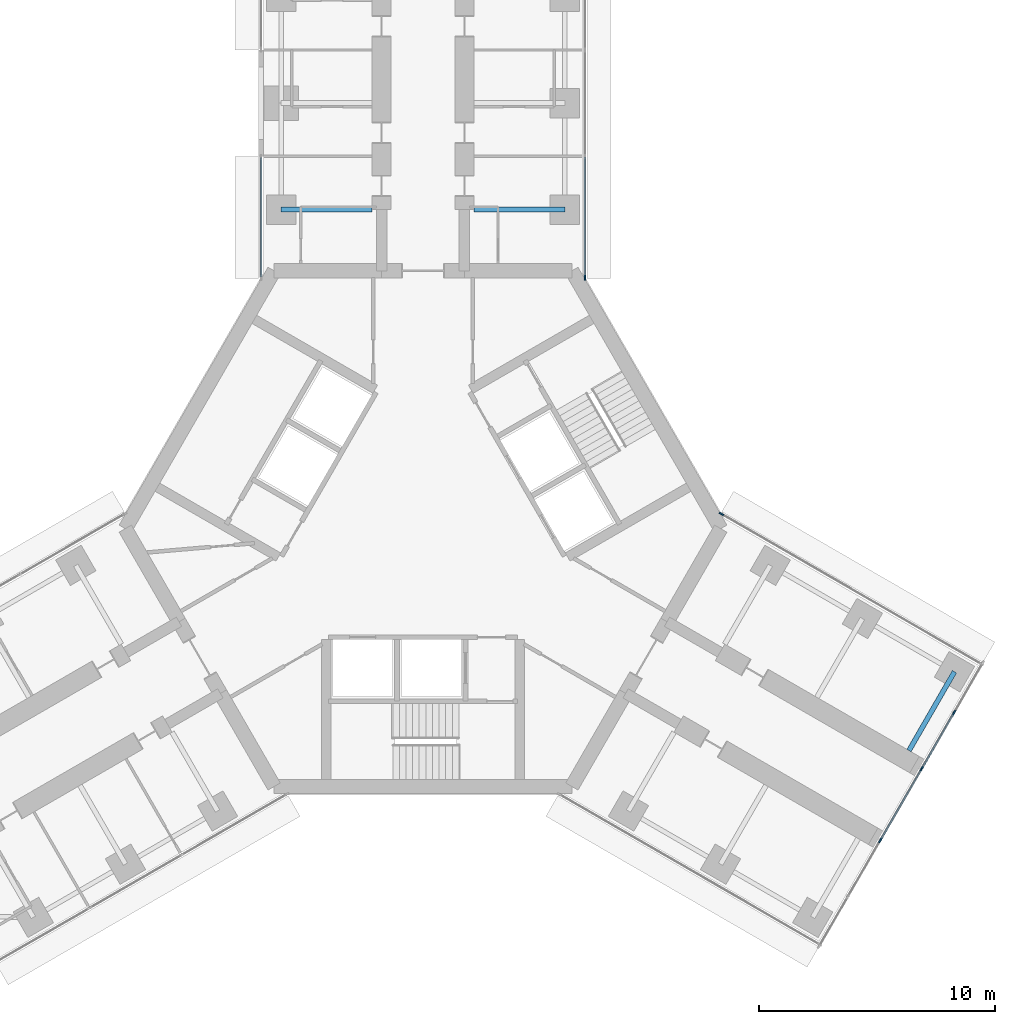
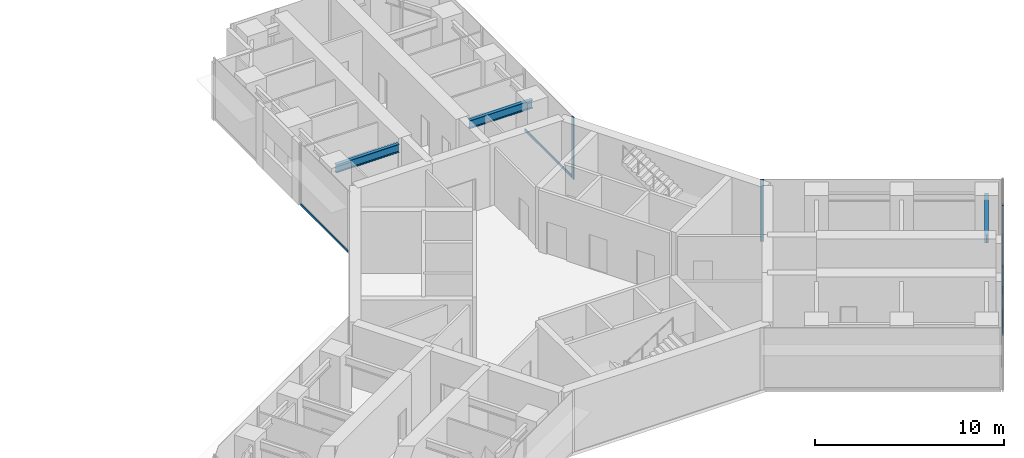
# One storey, part 10 of 23: 9 members, 3 beams, 4 elements without a shape of their own.
"""IFC4 building model written with IfcOpenShell, lengths in metres."""

from ifc_helpers import new_model, si_unit, direction, frame, origin, origin_2d, place, context, subcontext, project, spatial, rectangle, i_section, extrude, material, material_profile, profile_set, type_object, element, aggregate, save


model = new_model("IFC4")

# Units and contexts
model_context = context("Model", 3, precision=1e-05, world=origin(), true_north=direction((0.0, 1.0)))
body_context = subcontext(model_context, "Body", "Model", "MODEL_VIEW")
ifc_project = project(units=[si_unit("LENGTHUNIT", "METRE"), si_unit("AREAUNIT", "SQUARE_METRE"), si_unit("VOLUMEUNIT", "CUBIC_METRE"), si_unit("PLANEANGLEUNIT", "RADIAN"), si_unit("MASSUNIT", "GRAM", prefix="KILO")], contexts=[model_context])

# Site, building, storey
site_placement = place(None, origin())
site = spatial("IfcSite", under=ifc_project, at=site_placement, CompositionType="ELEMENT")
building_placement = place(site_placement, origin())
building = spatial("IfcBuilding", under=site, at=building_placement, Name="Upepo Twin Towers", CompositionType="ELEMENT")
storey_placement = place(building_placement, frame((0.0, 0.0, 161.5)))
storey = spatial("IfcBuildingStorey", under=building, at=storey_placement, Name="L39", CompositionType="ELEMENT", Elevation=161.5)

# Beams
ifc_material_1 = material(Name="Steel S355", Category="steel")
ifc_material_profile_1 = material_profile(ifc_material_1, i_section(OverallWidth=0.209228515625, OverallDepth=0.533203125, WebThickness=0.010009765625, FlangeThickness=0.015625, FilletRadius=0.0126953125, at=origin_2d()), Name="UB 533x210x92")
ifc_profile_set_1 = profile_set([ifc_material_profile_1], Name="Steel S355")
beam_type = type_object("IfcBeamType", Name="Beam UB 533x210x92", PredefinedType="BEAM", material=ifc_profile_set_1)
for number, where, z_axis, x_axis, name in (
    (1, (52.5, -4.5, 3.433349609375), (1.0, 0.0, 0.0), (0.0, 1.0, 0.0), "T2 girder AL at 13.5"),
    (2, (64.5, -4.5, 3.433349609375), (-1.0, 0.0, 0.0), (0.0, -1.0, 0.0), "T2 girder AR at 13.5"),
):
    element("IfcBeam", number, at=place(storey_placement, frame(where, z_axis=z_axis, x_axis=x_axis)), inside=storey, type_object=beam_type, Name=name, PredefinedType="BEAM", context=body_context, shape_type="SweptSolid", body=[
        extrude(i_section(OverallWidth=0.209228515625, OverallDepth=0.533203125, WebThickness=0.010009765625, FlangeThickness=0.015625, FilletRadius=0.0126953125, at=origin_2d()), origin(), (0.0, 0.0, 1.0), 3.85009765625),
    ])
beam_placement = place(storey_placement, frame((80.985595703125, -24.053955078125, 3.433349609375), z_axis=(-0.500033517596, -0.866006051527, 0.0), x_axis=(0.866006051527, -0.500033517596, 0.0)))
element("IfcBeam", 3, at=beam_placement, inside=storey, type_object=beam_type, Name="T2 girder CL at 22.5", PredefinedType="BEAM", context=body_context, shape_type="SweptSolid", body=[
    extrude(i_section(OverallWidth=0.209228515625, OverallDepth=0.533203125, WebThickness=0.010009765625, FlangeThickness=0.015625, FilletRadius=0.0126953125, at=origin_2d()), origin(), (0.0, 0.0, 1.0), 3.849853515625),
])

# Curtain wall, member
ifc_material_2 = material(Name="Aluminium and fritted glass", Category="aluminium")
curtain_wall_type = type_object("IfcCurtainWallType", Name="Tower curtain wall TW2, fritted glass", PredefinedType="NOTDEFINED", material=ifc_material_2)
curtain_wall_1_placement = place(storey_placement, origin())
curtain_wall_1 = element("IfcCurtainWall", 4, at=curtain_wall_1_placement, inside=storey, type_object=curtain_wall_type, Name="T2 L39 wing A flank R curtain wall", PredefinedType="NOTDEFINED")
ifc_material_3 = material(Name="Aluminium mullion", Category="aluminium")
ifc_material_profile_2 = material_profile(ifc_material_3, rectangle(XDim=0.06494140625, YDim=0.199951171875, at=origin_2d()), Name="MULLION 65x200")
ifc_profile_set_2 = profile_set([ifc_material_profile_2], Name="Aluminium mullion")
member_type_1 = type_object("IfcMemberType", Name="Mullion 65x200 TW2", PredefinedType="MULLION", material=ifc_profile_set_2)
member_1_placement = place(storey_placement, frame((65.35009765625, -7.38037109375, 0.0), z_axis=(0.0, 0.0, 1.0), x_axis=(1.0, 0.0, 0.0)))
member_1 = element("IfcMember", 5, at=member_1_placement, type_object=member_type_1, Name="T2 L39 wing A flank R curtain wall mullion 4", PredefinedType="MULLION", context=body_context, shape_type="SweptSolid", body=[
    extrude(rectangle(XDim=0.06494140625, YDim=0.199951171875, at=origin_2d()), origin(), (0.0, 0.0, 1.0), 4.0),
])

curtain_wall_2_placement = place(storey_placement, origin())
curtain_wall_2 = element("IfcCurtainWall", 6, at=curtain_wall_2_placement, inside=storey, type_object=curtain_wall_type, Name="T2 L39 wing C flank L curtain wall", PredefinedType="NOTDEFINED")
member_2_placement = place(storey_placement, frame((71.121826171875, -17.37744140625, 0.0), z_axis=(0.0, 0.0, 1.0), x_axis=(0.50000000792, 0.866025399212, 0.0)))
member_2 = element("IfcMember", 7, at=member_2_placement, type_object=member_type_1, Name="T2 L39 wing C flank L curtain wall mullion 1", PredefinedType="MULLION", context=body_context, shape_type="SweptSolid", body=[
    extrude(rectangle(XDim=0.06494140625, YDim=0.199951171875, at=origin_2d()), origin(), (0.0, 0.0, 1.0), 4.0),
])
aggregate(curtain_wall_2, [member_2])

# Curtain wall, members
curtain_wall_3_placement = place(storey_placement, origin())
curtain_wall_3 = element("IfcCurtainWall", 8, at=curtain_wall_3_placement, inside=storey, type_object=curtain_wall_type, Name="T2 L39 wing C nose curtain wall", PredefinedType="NOTDEFINED")
member_3_placement = place(storey_placement, frame((77.8466796875, -31.1904296875, 0.0), z_axis=(0.0, 0.0, 1.0), x_axis=(-0.866025419745, 0.499999972355, 0.0)))
member_3 = element("IfcMember", 9, at=member_3_placement, type_object=member_type_1, Name="T2 L39 wing C nose curtain wall mullion 3", PredefinedType="MULLION", context=body_context, shape_type="SweptSolid", body=[
    extrude(rectangle(XDim=0.06494140625, YDim=0.199951171875, at=origin_2d()), origin(), (0.0, 0.0, 1.0), 4.0),
])
member_4_placement = place(storey_placement, frame((79.5966796875, -28.159423828125, 0.0), z_axis=(0.0, 0.0, 1.0), x_axis=(-0.866025419745, 0.499999972355, 0.0)))
member_4 = element("IfcMember", 10, at=member_4_placement, type_object=member_type_1, Name="T2 L39 wing C nose curtain wall mullion 4", PredefinedType="MULLION", context=body_context, shape_type="SweptSolid", body=[
    extrude(rectangle(XDim=0.06494140625, YDim=0.199951171875, at=origin_2d()), origin(), (0.0, 0.0, 1.0), 4.0),
])
member_5_placement = place(storey_placement, frame((80.9716796875, -25.77783203125, 0.0), z_axis=(0.0, 0.0, 1.0), x_axis=(-0.866025419745, 0.499999972355, 0.0)))
member_5 = element("IfcMember", 11, at=member_5_placement, type_object=member_type_1, Name="T2 L39 wing C nose curtain wall mullion 5", PredefinedType="MULLION", context=body_context, shape_type="SweptSolid", body=[
    extrude(rectangle(XDim=0.06494140625, YDim=0.199951171875, at=origin_2d()), origin(), (0.0, 0.0, 1.0), 4.0),
])

# Curtain wall, member
curtain_wall_4_placement = place(storey_placement, origin())
curtain_wall_4 = element("IfcCurtainWall", 12, at=curtain_wall_4_placement, inside=storey, type_object=curtain_wall_type, Name="T2 L39 wing A flank L curtain wall", PredefinedType="NOTDEFINED")
ifc_material_4 = material(Name="Aluminium transom", Category="aluminium")
ifc_material_profile_3 = material_profile(ifc_material_4, rectangle(XDim=0.06494140625, YDim=0.14990234375, at=origin_2d()), Name="TRANSOM 65x150")
ifc_profile_set_3 = profile_set([ifc_material_profile_3], Name="Aluminium transom")
member_type_2 = type_object("IfcMemberType", Name="Transom 65x150 TW2", PredefinedType="USERDEFINED", material=ifc_profile_set_3)
member_6_placement = place(storey_placement, frame((51.64990234375, -7.347900390625, 0.074951171875), z_axis=(0.0, 1.0, 0.0), x_axis=(-1.0, 0.0, 0.0)))
member_6 = element("IfcMember", 13, at=member_6_placement, type_object=member_type_2, Name="T2 L39 wing A flank L curtain wall transom 1", ObjectType="TRANSOM", PredefinedType="USERDEFINED", context=body_context, shape_type="SweptSolid", body=[
    extrude(rectangle(XDim=0.06494140625, YDim=0.14990234375, at=origin_2d()), origin(), (0.0, 0.0, 1.0), 5.032958984375),
])
aggregate(curtain_wall_4, [member_6])

# Member
member_7_placement = place(storey_placement, frame((65.35009765625, -2.282470703125, 0.074951171875), z_axis=(0.0, -1.0, 0.0), x_axis=(1.0, 0.0, 0.0)))
member_7 = element("IfcMember", 14, at=member_7_placement, type_object=member_type_2, Name="T2 L39 wing A flank R curtain wall transom 3", ObjectType="TRANSOM", PredefinedType="USERDEFINED", context=body_context, shape_type="SweptSolid", body=[
    extrude(rectangle(XDim=0.06494140625, YDim=0.14990234375, at=origin_2d()), origin(), (0.0, 0.0, 1.0), 5.0654296875),
])

aggregate(curtain_wall_1, [member_1, member_7])

member_8_placement = place(storey_placement, frame((77.863037109375, -31.162353515625, 0.074951171875), z_axis=(0.499945997713, 0.866056579774, 0.0), x_axis=(-0.866056579774, 0.499945997713, 0.0)))
member_8 = element("IfcMember", 15, at=member_8_placement, type_object=member_type_2, Name="T2 L39 wing C nose curtain wall transom 3", ObjectType="TRANSOM", PredefinedType="USERDEFINED", context=body_context, shape_type="SweptSolid", body=[
    extrude(rectangle(XDim=0.06494140625, YDim=0.14990234375, at=origin_2d()), origin(), (0.0, 0.0, 1.0), 3.43505859375),
])

member_9_placement = place(storey_placement, frame((79.613037109375, -28.13134765625, 0.074951171875), z_axis=(0.49995335277, 0.8660523339, 0.0), x_axis=(-0.8660523339, 0.49995335277, 0.0)))
member_9 = element("IfcMember", 16, at=member_9_placement, type_object=member_type_2, Name="T2 L39 wing C nose curtain wall transom 4", ObjectType="TRANSOM", PredefinedType="USERDEFINED", context=body_context, shape_type="SweptSolid", body=[
    extrude(rectangle(XDim=0.06494140625, YDim=0.14990234375, at=origin_2d()), origin(), (0.0, 0.0, 1.0), 2.684814453125),
])

aggregate(curtain_wall_3, [member_3, member_4, member_5, member_8, member_9])

save(model, "model.ifc")
